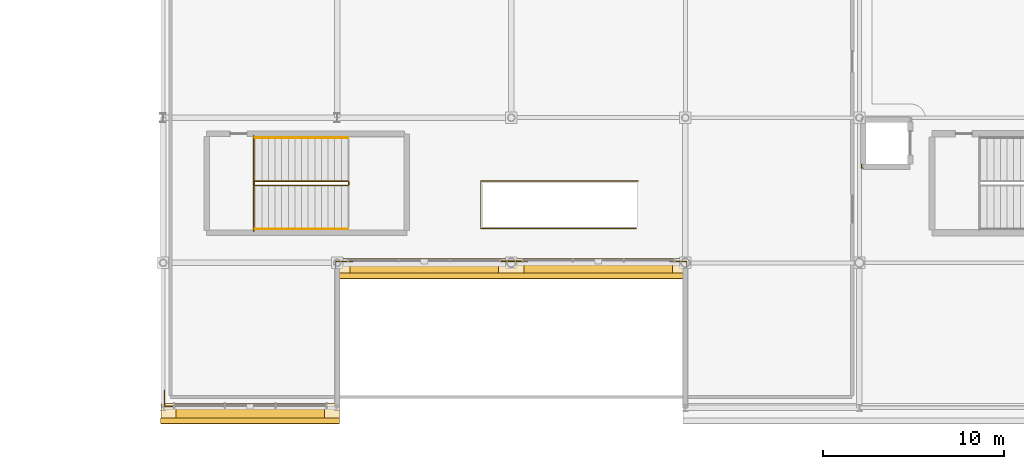
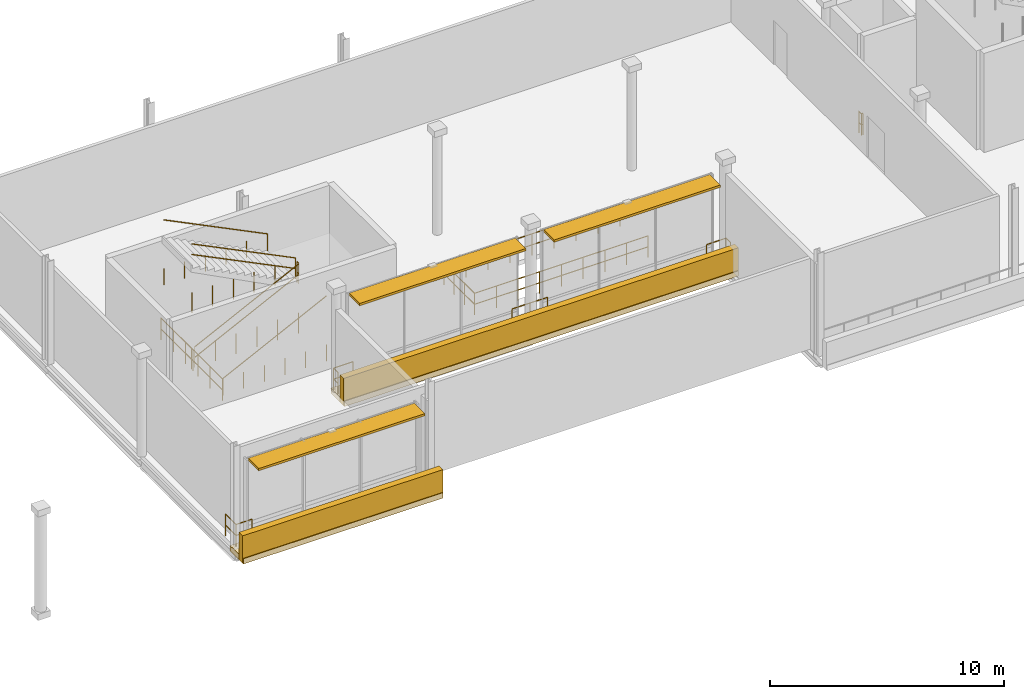
# One storey, part 117 of 129: 13 railings, 4 coverings, 3 shading devices.
"""IFC4 building model written with IfcOpenShell, lengths in metres."""

from ifc_helpers import new_model, si_unit, direction, frame, origin, origin_2d, place, context, subcontext, project, spatial, rectangle, circle, extrude, material, layer, layer_set, type_object, element, save


model = new_model("IFC4")

# Units and contexts
model_context = context("Model", 3, precision=1e-05, world=origin(), true_north=direction((0.0, 1.0)))
body_context = subcontext(model_context, "Body", "Model", "MODEL_VIEW")
ifc_project = project(units=[si_unit("LENGTHUNIT", "METRE"), si_unit("AREAUNIT", "SQUARE_METRE"), si_unit("VOLUMEUNIT", "CUBIC_METRE"), si_unit("PLANEANGLEUNIT", "RADIAN"), si_unit("MASSUNIT", "GRAM", prefix="KILO")], contexts=[model_context])

# Site, building, storey
site_placement = place(None, origin())
site = spatial("IfcSite", under=ifc_project, at=site_placement, CompositionType="ELEMENT")
building_placement = place(site_placement, origin())
building = spatial("IfcBuilding", under=site, at=building_placement, Name="Danafjord Basin Convention Centre", CompositionType="ELEMENT")
storey_placement = place(building_placement, frame((0.0, 0.0, 6.0)))
storey = spatial("IfcBuildingStorey", under=building, at=storey_placement, Name="L01", CompositionType="ELEMENT", Elevation=6.0)

# Coverings
ifc_material_1 = material(Name="Architectural white precast concrete C45/55", Category="concrete")
ifc_layer = layer(ifc_material_1, 0.320068359375)
ifc_layer_set = layer_set([ifc_layer], Name="Architectural white precast concrete C45/55")
covering_type = type_object("IfcCoveringType", Name="COV-BAND-HORIZ", PredefinedType="CLADDING", material=ifc_layer_set)
covering_1_placement = place(storey_placement, frame((148.800048828125, -0.324951171875, -0.27978515625), z_axis=(0.0, 0.0, 1.0), x_axis=(1.0, 0.0, 0.0)))
element("IfcCovering", 1, at=covering_1_placement, inside=storey, type_object=covering_type, Name="L01 stepped horizontal band soffit plate 59", PredefinedType="CLADDING", context=body_context, shape_type="SweptSolid", body=[
    extrude(rectangle(XDim=9.840087890625, YDim=1.14990234375, at=origin_2d()), origin(), (0.0, 0.0, 1.0), 0.280029296875),
])
covering_2_placement = place(storey_placement, frame((148.800048828125, -0.7099609375, -0.239990234375), z_axis=(0.0, 0.0, 1.0), x_axis=(1.0, 0.0, 0.0)))
element("IfcCovering", 2, at=covering_2_placement, inside=storey, type_object=covering_type, Name="L01 layered horizontal white spandrel band 59", PredefinedType="CLADDING", context=body_context, shape_type="SweptSolid", body=[
    extrude(rectangle(XDim=9.8798828125, YDim=0.320068359375, at=origin_2d()), origin(), (0.0, 0.0, 1.0), 1.419921875),
])
covering_3_placement = place(storey_placement, frame((163.199951171875, 7.675048828125, -0.27978515625), z_axis=(0.0, 0.0, 1.0), x_axis=(1.0, 0.0, 0.0)))
element("IfcCovering", 3, at=covering_3_placement, inside=storey, type_object=covering_type, Name="L01 stepped horizontal band soffit plate 60", PredefinedType="CLADDING", context=body_context, shape_type="SweptSolid", body=[
    extrude(rectangle(XDim=19.43994140625, YDim=1.14990234375, at=origin_2d()), origin(), (0.0, 0.0, 1.0), 0.280029296875),
])
covering_4_placement = place(storey_placement, frame((163.199951171875, 7.2900390625, -0.239990234375), z_axis=(0.0, 0.0, 1.0), x_axis=(1.0, 0.0, 0.0)))
element("IfcCovering", 4, at=covering_4_placement, inside=storey, type_object=covering_type, Name="L01 layered horizontal white spandrel band 60", PredefinedType="CLADDING", context=body_context, shape_type="SweptSolid", body=[
    extrude(rectangle(XDim=19.47998046875, YDim=0.320068359375, at=origin_2d()), origin(), (0.0, 0.0, 1.0), 1.419921875),
])

# Railings
ifc_material_2 = material(Name="Laminated structural glass and stainless steel", Category="steel")
railing_type_1 = type_object("IfcRailingType", Name="RL-BAL-GLS", PredefinedType="BALUSTRADE", material=ifc_material_2)
railing_1_placement = place(storey_placement, frame((172.8798828125, 7.719970703125, 0.0)))
element("IfcRailing", 5, at=railing_1_placement, inside=storey, type_object=railing_type_1, Name="L01 safety guard balustrade 17", PredefinedType="BALUSTRADE", context=body_context, shape_type="SweptSolid", body=[
    extrude(circle(Radius=0.02392578125, at=origin_2d()), frame((0.0, 0.0, 1.1259765625), z_axis=(0.0, 1.0, 0.0), x_axis=(-1.0, 0.0, 0.0)), (0.0, 0.0, 1.0), 0.360107421875),
    extrude(circle(Radius=0.02392578125, at=origin_2d()), frame((0.0, 0.0, 0.55078125), z_axis=(0.0, 1.0, 0.0), x_axis=(-1.0, 0.0, 0.0)), (0.0, 0.0, 1.0), 0.360107421875),
    extrude(circle(Radius=0.02392578125, at=origin_2d()), frame((0.0, 0.360107421875, 1.1259765625), z_axis=(-1.0, 0.0, 0.0), x_axis=(0.0, -1.0, 0.0)), (0.0, 0.0, 1.0), 0.9599609375),
    extrude(circle(Radius=0.02392578125, at=origin_2d()), frame((0.0, 0.360107421875, 0.55078125), z_axis=(-1.0, 0.0, 0.0), x_axis=(0.0, -1.0, 0.0)), (0.0, 0.0, 1.0), 0.9599609375),
    extrude(circle(Radius=0.02099609375, at=origin_2d()), origin(), (0.0, 0.0, 1.0), 1.099853515625),
    extrude(circle(Radius=0.02099609375, at=origin_2d()), frame((0.0, 0.360107421875, 0.0)), (0.0, 0.0, 1.0), 1.099853515625),
    extrude(circle(Radius=0.02099609375, at=origin_2d()), frame((-0.9599609375, 0.360107421875, 0.0)), (0.0, 0.0, 1.0), 1.099853515625),
])
railing_2_placement = place(storey_placement, frame((164.080078125, 8.080078125, 0.0)))
element("IfcRailing", 6, at=railing_2_placement, inside=storey, type_object=railing_type_1, Name="L01 safety guard balustrade 18", PredefinedType="BALUSTRADE", context=body_context, shape_type="SweptSolid", body=[
    extrude(circle(Radius=0.02392578125, at=origin_2d()), frame((0.0, 0.0, 1.1259765625), z_axis=(-1.0, 0.0, 0.0), x_axis=(0.0, -1.0, 0.0)), (0.0, 0.0, 1.0), 1.760009765625),
    extrude(circle(Radius=0.02392578125, at=origin_2d()), frame((0.0, 0.0, 0.55078125), z_axis=(-1.0, 0.0, 0.0), x_axis=(0.0, -1.0, 0.0)), (0.0, 0.0, 1.0), 1.760009765625),
    extrude(circle(Radius=0.02099609375, at=origin_2d()), origin(), (0.0, 0.0, 1.0), 1.099853515625),
    extrude(circle(Radius=0.02099609375, at=origin_2d()), frame((-0.8798828125, 0.0, 0.0)), (0.0, 0.0, 1.0), 1.099853515625),
    extrude(circle(Radius=0.02099609375, at=origin_2d()), frame((-1.760009765625, 0.0, 0.0)), (0.0, 0.0, 1.0), 1.099853515625),
])
railing_3_placement = place(storey_placement, frame((154.47998046875, 8.080078125, 0.0)))
element("IfcRailing", 7, at=railing_3_placement, inside=storey, type_object=railing_type_1, Name="L01 safety guard balustrade 19", PredefinedType="BALUSTRADE", context=body_context, shape_type="SweptSolid", body=[
    extrude(circle(Radius=0.02392578125, at=origin_2d()), frame((0.0, 0.0, 1.1259765625), z_axis=(-1.0, 0.0, 0.0), x_axis=(0.0, -1.0, 0.0)), (0.0, 0.0, 1.0), 0.9599609375),
    extrude(circle(Radius=0.02392578125, at=origin_2d()), frame((0.0, 0.0, 0.55078125), z_axis=(-1.0, 0.0, 0.0), x_axis=(0.0, -1.0, 0.0)), (0.0, 0.0, 1.0), 0.9599609375),
    extrude(circle(Radius=0.02392578125, at=origin_2d()), frame((-0.9599609375, 0.0, 1.1259765625), z_axis=(0.0, -1.0, 0.0), x_axis=(1.0, 0.0, 0.0)), (0.0, 0.0, 1.0), 0.360107421875),
    extrude(circle(Radius=0.02392578125, at=origin_2d()), frame((-0.9599609375, 0.0, 0.55078125), z_axis=(0.0, -1.0, 0.0), x_axis=(1.0, 0.0, 0.0)), (0.0, 0.0, 1.0), 0.360107421875),
    extrude(circle(Radius=0.02099609375, at=origin_2d()), origin(), (0.0, 0.0, 1.0), 1.099853515625),
    extrude(circle(Radius=0.02099609375, at=origin_2d()), frame((-0.9599609375, 0.0, 0.0)), (0.0, 0.0, 1.0), 1.099853515625),
    extrude(circle(Radius=0.02099609375, at=origin_2d()), frame((-0.9599609375, -0.360107421875, 0.0)), (0.0, 0.0, 1.0), 1.099853515625),
])
railing_4_placement = place(storey_placement, frame((144.8798828125, 0.080078125, 0.0)))
element("IfcRailing", 8, at=railing_4_placement, inside=storey, type_object=railing_type_1, Name="L01 safety guard balustrade 20", PredefinedType="BALUSTRADE", context=body_context, shape_type="SweptSolid", body=[
    extrude(circle(Radius=0.02392578125, at=origin_2d()), frame((0.0, 0.0, 1.1259765625), z_axis=(-1.0, 0.0, 0.0), x_axis=(0.0, -1.0, 0.0)), (0.0, 0.0, 1.0), 0.7998046875),
    extrude(circle(Radius=0.02392578125, at=origin_2d()), frame((0.0, 0.0, 0.55078125), z_axis=(-1.0, 0.0, 0.0), x_axis=(0.0, -1.0, 0.0)), (0.0, 0.0, 1.0), 0.7998046875),
    extrude(circle(Radius=0.02392578125, at=origin_2d()), frame((-0.7998046875, 0.0, 1.1259765625), z_axis=(0.0, 1.0, 0.0), x_axis=(-1.0, 0.0, 0.0)), (0.0, 0.0, 1.0), 0.891845703125),
    extrude(circle(Radius=0.02392578125, at=origin_2d()), frame((-0.7998046875, 0.0, 0.55078125), z_axis=(0.0, 1.0, 0.0), x_axis=(-1.0, 0.0, 0.0)), (0.0, 0.0, 1.0), 0.891845703125),
    extrude(circle(Radius=0.02099609375, at=origin_2d()), origin(), (0.0, 0.0, 1.0), 1.099853515625),
    extrude(circle(Radius=0.02099609375, at=origin_2d()), frame((-0.7998046875, 0.0, 0.0)), (0.0, 0.0, 1.0), 1.099853515625),
    extrude(circle(Radius=0.02099609375, at=origin_2d()), frame((-0.7998046875, 0.891845703125, 0.0)), (0.0, 0.0, 1.0), 1.099853515625),
])
railing_5_placement = place(storey_placement, frame((182.52001953125, 13.43505859375, 0.0)))
element("IfcRailing", 9, at=railing_5_placement, inside=storey, type_object=railing_type_1, Name="L01 safety guard balustrade 76", PredefinedType="BALUSTRADE", context=body_context, shape_type="SweptSolid", body=[
    extrude(circle(Radius=0.02392578125, at=origin_2d()), frame((0.0, 0.0, 1.1259765625), z_axis=(0.0, -1.0, 0.0), x_axis=(1.0, 0.0, 0.0)), (0.0, 0.0, 1.0), 0.215087890625),
    extrude(circle(Radius=0.02392578125, at=origin_2d()), frame((0.0, 0.0, 0.55078125), z_axis=(0.0, -1.0, 0.0), x_axis=(1.0, 0.0, 0.0)), (0.0, 0.0, 1.0), 0.215087890625),
    extrude(circle(Radius=0.02392578125, at=origin_2d()), frame((0.0, -0.215087890625, 1.1259765625), z_axis=(1.0, 0.0, 0.0), x_axis=(0.0, 1.0, 0.0)), (0.0, 0.0, 1.0), 0.080078125),
    extrude(circle(Radius=0.02392578125, at=origin_2d()), frame((0.0, -0.215087890625, 0.55078125), z_axis=(1.0, 0.0, 0.0), x_axis=(0.0, 1.0, 0.0)), (0.0, 0.0, 1.0), 0.080078125),
    extrude(circle(Radius=0.02099609375, at=origin_2d()), origin(), (0.0, 0.0, 1.0), 1.099853515625),
    extrude(circle(Radius=0.02099609375, at=origin_2d()), frame((0.0, -0.215087890625, 0.0)), (0.0, 0.0, 1.0), 1.099853515625),
    extrude(circle(Radius=0.02099609375, at=origin_2d()), frame((0.080078125, -0.215087890625, 0.0)), (0.0, 0.0, 1.0), 1.099853515625),
])
railing_6_placement = place(storey_placement, frame((149.0, 15.0, 0.0)))
element("IfcRailing", 10, at=railing_6_placement, inside=storey, type_object=railing_type_1, Name="L01 safety guard balustrade 78", PredefinedType="BALUSTRADE", context=body_context, shape_type="SweptSolid", body=[
    extrude(circle(Radius=0.02392578125, at=origin_2d()), frame((0.0, 0.0, 1.1259765625), z_axis=(0.0, -1.0, 0.0), x_axis=(1.0, 0.0, 0.0)), (0.0, 0.0, 1.0), 5.239990234375),
    extrude(circle(Radius=0.02392578125, at=origin_2d()), frame((0.0, 0.0, 0.55078125), z_axis=(0.0, -1.0, 0.0), x_axis=(1.0, 0.0, 0.0)), (0.0, 0.0, 1.0), 5.239990234375),
    extrude(circle(Radius=0.02099609375, at=origin_2d()), origin(), (0.0, 0.0, 1.0), 1.099853515625),
    extrude(circle(Radius=0.02099609375, at=origin_2d()), frame((0.0, -1.048095703125, 0.0)), (0.0, 0.0, 1.0), 1.099853515625),
    extrude(circle(Radius=0.02099609375, at=origin_2d()), frame((0.0, -2.095947265625, 0.0)), (0.0, 0.0, 1.0), 1.099853515625),
    extrude(circle(Radius=0.02099609375, at=origin_2d()), frame((0.0, -3.14404296875, 0.0)), (0.0, 0.0, 1.0), 1.099853515625),
    extrude(circle(Radius=0.02099609375, at=origin_2d()), frame((0.0, -4.19189453125, 0.0)), (0.0, 0.0, 1.0), 1.099853515625),
    extrude(circle(Radius=0.02099609375, at=origin_2d()), frame((0.0, -5.239990234375, 0.0)), (0.0, 0.0, 1.0), 1.099853515625),
])
ifc_material_3 = material(Name="Galvanised and powder-coated steel S355", Category="steel")
railing_type_2 = type_object("IfcRailingType", Name="RL-BAL-STL", PredefinedType="BALUSTRADE", material=ifc_material_3)
railing_7_placement = place(storey_placement, frame((170.205078125, 12.5048828125, 0.0)))
element("IfcRailing", 11, at=railing_7_placement, inside=storey, type_object=railing_type_2, Name="L01 safety guard balustrade 77", PredefinedType="BALUSTRADE", context=body_context, shape_type="SweptSolid", body=[
    extrude(circle(Radius=0.02392578125, at=origin_2d()), frame((0.0, 0.0, 1.1259765625), z_axis=(-1.0, 0.0, 0.0), x_axis=(0.0, -1.0, 0.0)), (0.0, 0.0, 1.0), 8.68505859375),
    extrude(circle(Radius=0.02392578125, at=origin_2d()), frame((0.0, 0.0, 0.55078125), z_axis=(-1.0, 0.0, 0.0), x_axis=(0.0, -1.0, 0.0)), (0.0, 0.0, 1.0), 8.68505859375),
    extrude(circle(Radius=0.02392578125, at=origin_2d()), frame((-8.68505859375, 0.0, 1.1259765625), z_axis=(0.0, -1.0, 0.0), x_axis=(1.0, 0.0, 0.0)), (0.0, 0.0, 1.0), 2.60986328125),
    extrude(circle(Radius=0.02392578125, at=origin_2d()), frame((-8.68505859375, 0.0, 0.55078125), z_axis=(0.0, -1.0, 0.0), x_axis=(1.0, 0.0, 0.0)), (0.0, 0.0, 1.0), 2.60986328125),
    extrude(circle(Radius=0.02392578125, at=origin_2d()), frame((-8.68505859375, -2.60986328125, 1.1259765625), z_axis=(1.0, 0.0, 0.0), x_axis=(0.0, 1.0, 0.0)), (0.0, 0.0, 1.0), 8.56494140625),
    extrude(circle(Radius=0.02392578125, at=origin_2d()), frame((-8.68505859375, -2.60986328125, 0.55078125), z_axis=(1.0, 0.0, 0.0), x_axis=(0.0, 1.0, 0.0)), (0.0, 0.0, 1.0), 8.56494140625),
    extrude(circle(Radius=0.02099609375, at=origin_2d()), origin(), (0.0, 0.0, 1.0), 1.099853515625),
    extrude(circle(Radius=0.02099609375, at=origin_2d()), frame((-1.085693359375, 0.0, 0.0)), (0.0, 0.0, 1.0), 1.099853515625),
    extrude(circle(Radius=0.02099609375, at=origin_2d()), frame((-2.17138671875, 0.0, 0.0)), (0.0, 0.0, 1.0), 1.099853515625),
    extrude(circle(Radius=0.02099609375, at=origin_2d()), frame((-3.2568359375, 0.0, 0.0)), (0.0, 0.0, 1.0), 1.099853515625),
    extrude(circle(Radius=0.02099609375, at=origin_2d()), frame((-4.342529296875, 0.0, 0.0)), (0.0, 0.0, 1.0), 1.099853515625),
    extrude(circle(Radius=0.02099609375, at=origin_2d()), frame((-5.42822265625, 0.0, 0.0)), (0.0, 0.0, 1.0), 1.099853515625),
    extrude(circle(Radius=0.02099609375, at=origin_2d()), frame((-6.513671875, 0.0, 0.0)), (0.0, 0.0, 1.0), 1.099853515625),
    extrude(circle(Radius=0.02099609375, at=origin_2d()), frame((-7.599365234375, 0.0, 0.0)), (0.0, 0.0, 1.0), 1.099853515625),
    extrude(circle(Radius=0.02099609375, at=origin_2d()), frame((-8.68505859375, 0.0, 0.0)), (0.0, 0.0, 1.0), 1.099853515625),
    extrude(circle(Radius=0.02099609375, at=origin_2d()), frame((-8.68505859375, -0.869873046875, 0.0)), (0.0, 0.0, 1.0), 1.099853515625),
    extrude(circle(Radius=0.02099609375, at=origin_2d()), frame((-8.68505859375, -1.739990234375, 0.0)), (0.0, 0.0, 1.0), 1.099853515625),
    extrude(circle(Radius=0.02099609375, at=origin_2d()), frame((-8.68505859375, -2.60986328125, 0.0)), (0.0, 0.0, 1.0), 1.099853515625),
    extrude(circle(Radius=0.02099609375, at=origin_2d()), frame((-7.614501953125, -2.60986328125, 0.0)), (0.0, 0.0, 1.0), 1.099853515625),
    extrude(circle(Radius=0.02099609375, at=origin_2d()), frame((-6.5439453125, -2.60986328125, 0.0)), (0.0, 0.0, 1.0), 1.099853515625),
    extrude(circle(Radius=0.02099609375, at=origin_2d()), frame((-5.47314453125, -2.60986328125, 0.0)), (0.0, 0.0, 1.0), 1.099853515625),
    extrude(circle(Radius=0.02099609375, at=origin_2d()), frame((-4.402587890625, -2.60986328125, 0.0)), (0.0, 0.0, 1.0), 1.099853515625),
    extrude(circle(Radius=0.02099609375, at=origin_2d()), frame((-3.33203125, -2.60986328125, 0.0)), (0.0, 0.0, 1.0), 1.099853515625),
    extrude(circle(Radius=0.02099609375, at=origin_2d()), frame((-2.26123046875, -2.60986328125, 0.0)), (0.0, 0.0, 1.0), 1.099853515625),
    extrude(circle(Radius=0.02099609375, at=origin_2d()), frame((-1.190673828125, -2.60986328125, 0.0)), (0.0, 0.0, 1.0), 1.099853515625),
    extrude(circle(Radius=0.02099609375, at=origin_2d()), frame((-0.1201171875, -2.60986328125, 0.0)), (0.0, 0.0, 1.0), 1.099853515625),
])
ifc_material_4 = material(Name="Galvanised steel S355", Category="steel")
railing_type_3 = type_object("IfcRailingType", Name="RL-GD-WELL", PredefinedType="BALUSTRADE", material=ifc_material_4)
railing_8_placement = place(storey_placement, frame((149.080078125, 12.260009765625, 0.179931640625)))
element("IfcRailing", 12, at=railing_8_placement, inside=storey, type_object=railing_type_3, Name="L01 ST-16 stair guard 1", PredefinedType="BALUSTRADE", context=body_context, shape_type="SweptSolid", body=[
    extrude(circle(Radius=0.02392578125, at=origin_2d()), frame((0.0, 0.0, 1.076171875), z_axis=(0.89686481642, 0.0, 0.442304760396), x_axis=(0.0, 1.0, 0.0)), (0.0, 0.0, 1.0), 5.697509765625),
    extrude(circle(Radius=0.02392578125, at=origin_2d()), frame((0.0, 0.0, 0.52587890625), z_axis=(0.89686481642, 0.0, 0.442304760396), x_axis=(0.0, 1.0, 0.0)), (0.0, 0.0, 1.0), 5.697509765625),
    extrude(circle(Radius=0.02099609375, at=origin_2d()), origin(), (0.0, 0.0, 1.0), 1.050048828125),
    extrude(circle(Radius=0.02099609375, at=origin_2d()), frame((1.02197265625, 0.0, 0.0)), (0.0, 0.0, 1.0), 1.050048828125),
    extrude(circle(Radius=0.02099609375, at=origin_2d()), frame((2.0439453125, 0.0, 0.0)), (0.0, 0.0, 1.0), 1.050048828125),
    extrude(circle(Radius=0.02099609375, at=origin_2d()), frame((3.06591796875, 0.0, 0.0)), (0.0, 0.0, 1.0), 1.050048828125),
    extrude(circle(Radius=0.02099609375, at=origin_2d()), frame((4.087890625, 0.0, 0.0)), (0.0, 0.0, 1.0), 1.050048828125),
    extrude(circle(Radius=0.02099609375, at=origin_2d()), frame((5.10986328125, 0.0, 0.0)), (0.0, 0.0, 1.0), 1.050048828125),
])
railing_9_placement = place(storey_placement, frame((154.239990234375, 12.31005859375, 2.699951171875)))
element("IfcRailing", 13, at=railing_9_placement, inside=storey, type_object=railing_type_3, Name="L01 ST-16 stair guard 2", PredefinedType="BALUSTRADE", context=body_context, shape_type="SweptSolid", body=[
    extrude(circle(Radius=0.02392578125, at=origin_2d()), frame((0.0, 0.0, 1.076171875), z_axis=(0.0, 1.0, 0.0), x_axis=(-1.0, 0.0, 0.0)), (0.0, 0.0, 1.0), 0.139892578125),
    extrude(circle(Radius=0.02392578125, at=origin_2d()), frame((0.0, 0.0, 0.52587890625), z_axis=(0.0, 1.0, 0.0), x_axis=(-1.0, 0.0, 0.0)), (0.0, 0.0, 1.0), 0.139892578125),
    extrude(circle(Radius=0.02099609375, at=origin_2d()), origin(), (0.0, 0.0, 1.0), 1.050048828125),
    extrude(circle(Radius=0.02099609375, at=origin_2d()), frame((0.0, 0.139892578125, 0.0)), (0.0, 0.0, 1.0), 1.050048828125),
])
railing_10_placement = place(storey_placement, frame((154.18994140625, 12.5, 2.8798828125)))
element("IfcRailing", 14, at=railing_10_placement, inside=storey, type_object=railing_type_3, Name="L01 ST-16 stair guard 3", PredefinedType="BALUSTRADE", context=body_context, shape_type="SweptSolid", body=[
    extrude(circle(Radius=0.02392578125, at=origin_2d()), frame((0.0, 0.0, 1.076171875), z_axis=(-0.89686481642, 0.0, 0.442304760396), x_axis=(0.0, -1.0, 0.0)), (0.0, 0.0, 1.0), 5.697509765625),
    extrude(circle(Radius=0.02392578125, at=origin_2d()), frame((0.0, 0.0, 0.52587890625), z_axis=(-0.89686481642, 0.0, 0.442304760396), x_axis=(0.0, -1.0, 0.0)), (0.0, 0.0, 1.0), 5.697509765625),
    extrude(circle(Radius=0.02099609375, at=origin_2d()), origin(), (0.0, 0.0, 1.0), 1.050048828125),
    extrude(circle(Radius=0.02099609375, at=origin_2d()), frame((-1.02197265625, 0.0, 0.0)), (0.0, 0.0, 1.0), 1.050048828125),
    extrude(circle(Radius=0.02099609375, at=origin_2d()), frame((-2.0439453125, 0.0, 0.0)), (0.0, 0.0, 1.0), 1.050048828125),
    extrude(circle(Radius=0.02099609375, at=origin_2d()), frame((-3.06591796875, 0.0, 0.0)), (0.0, 0.0, 1.0), 1.050048828125),
    extrude(circle(Radius=0.02099609375, at=origin_2d()), frame((-4.087890625, 0.0, 0.0)), (0.0, 0.0, 1.0), 1.050048828125),
    extrude(circle(Radius=0.02099609375, at=origin_2d()), frame((-5.10986328125, 0.0, 0.0)), (0.0, 0.0, 1.0), 1.050048828125),
])
railing_11_placement = place(storey_placement, frame((149.030029296875, 12.31005859375, 0.0)))
element("IfcRailing", 15, at=railing_11_placement, inside=storey, type_object=railing_type_3, Name="L01 ST-16 stair guard 4", PredefinedType="BALUSTRADE", context=body_context, shape_type="SweptSolid", body=[
    extrude(circle(Radius=0.02392578125, at=origin_2d()), frame((0.0, 0.0, 1.076171875), z_axis=(0.0, 1.0, 0.0), x_axis=(-1.0, 0.0, 0.0)), (0.0, 0.0, 1.0), 0.139892578125),
    extrude(circle(Radius=0.02392578125, at=origin_2d()), frame((0.0, 0.0, 0.52587890625), z_axis=(0.0, 1.0, 0.0), x_axis=(-1.0, 0.0, 0.0)), (0.0, 0.0, 1.0), 0.139892578125),
    extrude(circle(Radius=0.02099609375, at=origin_2d()), origin(), (0.0, 0.0, 1.0), 1.050048828125),
    extrude(circle(Radius=0.02099609375, at=origin_2d()), frame((0.0, 0.139892578125, 0.0)), (0.0, 0.0, 1.0), 1.050048828125),
])
ifc_material_5 = material(Name="Brushed stainless steel EN 1.4404", Category="steel")
railing_type_4 = type_object("IfcRailingType", Name="RL-HR-STAIR", PredefinedType="HANDRAIL", material=ifc_material_5)
railing_12_placement = place(storey_placement, frame((149.080078125, 9.860107421875, 0.179931640625)))
element("IfcRailing", 16, at=railing_12_placement, inside=storey, type_object=railing_type_4, Name="L01 ST-16 stair handrail 1", PredefinedType="HANDRAIL", context=body_context, shape_type="SweptSolid", body=[
    extrude(circle(Radius=0.02392578125, at=origin_2d()), frame((0.0, 0.0, 0.8759765625), z_axis=(0.89686481642, 0.0, 0.442304760396), x_axis=(0.0, 1.0, 0.0)), (0.0, 0.0, 1.0), 5.697509765625),
    extrude(circle(Radius=0.02099609375, at=origin_2d()), origin(), (0.0, 0.0, 1.0), 0.849853515625),
    extrude(circle(Radius=0.02099609375, at=origin_2d()), frame((1.02197265625, 0.0, 0.0)), (0.0, 0.0, 1.0), 0.849853515625),
    extrude(circle(Radius=0.02099609375, at=origin_2d()), frame((2.0439453125, 0.0, 0.0)), (0.0, 0.0, 1.0), 0.849853515625),
    extrude(circle(Radius=0.02099609375, at=origin_2d()), frame((3.06591796875, 0.0, 0.0)), (0.0, 0.0, 1.0), 0.849853515625),
    extrude(circle(Radius=0.02099609375, at=origin_2d()), frame((4.087890625, 0.0, 0.0)), (0.0, 0.0, 1.0), 0.849853515625),
    extrude(circle(Radius=0.02099609375, at=origin_2d()), frame((5.10986328125, 0.0, 0.0)), (0.0, 0.0, 1.0), 0.849853515625),
])
railing_13_placement = place(storey_placement, frame((154.18994140625, 14.89990234375, 2.8798828125)))
element("IfcRailing", 17, at=railing_13_placement, inside=storey, type_object=railing_type_4, Name="L01 ST-16 stair handrail 2", PredefinedType="HANDRAIL", context=body_context, shape_type="SweptSolid", body=[
    extrude(circle(Radius=0.02392578125, at=origin_2d()), frame((0.0, 0.0, 0.8759765625), z_axis=(-0.89686481642, 0.0, 0.442304760396), x_axis=(0.0, -1.0, 0.0)), (0.0, 0.0, 1.0), 5.697509765625),
    extrude(circle(Radius=0.02099609375, at=origin_2d()), origin(), (0.0, 0.0, 1.0), 0.849853515625),
    extrude(circle(Radius=0.02099609375, at=origin_2d()), frame((-1.02197265625, 0.0, 0.0)), (0.0, 0.0, 1.0), 0.849853515625),
    extrude(circle(Radius=0.02099609375, at=origin_2d()), frame((-2.0439453125, 0.0, 0.0)), (0.0, 0.0, 1.0), 0.849853515625),
    extrude(circle(Radius=0.02099609375, at=origin_2d()), frame((-3.06591796875, 0.0, 0.0)), (0.0, 0.0, 1.0), 0.849853515625),
    extrude(circle(Radius=0.02099609375, at=origin_2d()), frame((-4.087890625, 0.0, 0.0)), (0.0, 0.0, 1.0), 0.849853515625),
    extrude(circle(Radius=0.02099609375, at=origin_2d()), frame((-5.10986328125, 0.0, 0.0)), (0.0, 0.0, 1.0), 0.849853515625),
])

# Shading devices
ifc_material_6 = material(Name="Anodised aluminium aerofoil sunshade", Category="aluminium")
shading_device_type = type_object("IfcShadingDeviceType", Name="SHD-SUN-A", PredefinedType="USERDEFINED", material=ifc_material_6)
for number, where, z_axis, x_axis, name in (
    (18, (148.800048828125, -0.340087890625, 4.22998046875), (0.0, 0.0, 1.0), (1.0, 0.0, 0.0), "L01 cantilevered harbour sunshade 16"),
    (19, (158.39990234375, 7.659912109375, 4.6298828125), (0.0, 0.0, 1.0), (1.0, 0.0, 0.0), "L01 cantilevered harbour sunshade 27"),
    (20, (168.0, 7.659912109375, 4.579833984375), (0.0, 0.0, 1.0), (1.0, 0.0, 0.0), "L01 cantilevered harbour sunshade 28"),
):
    element("IfcShadingDevice", number, at=place(storey_placement, frame(where, z_axis=z_axis, x_axis=x_axis)), inside=storey, type_object=shading_device_type, Name=name, ObjectType="SUNSHADE", PredefinedType="USERDEFINED", context=body_context, shape_type="SweptSolid", body=[
        extrude(rectangle(XDim=8.199951171875, YDim=0.89990234375, at=origin_2d()), origin(), (0.0, 0.0, 1.0), 0.1201171875),
    ])

save(model, "model.ifc")
